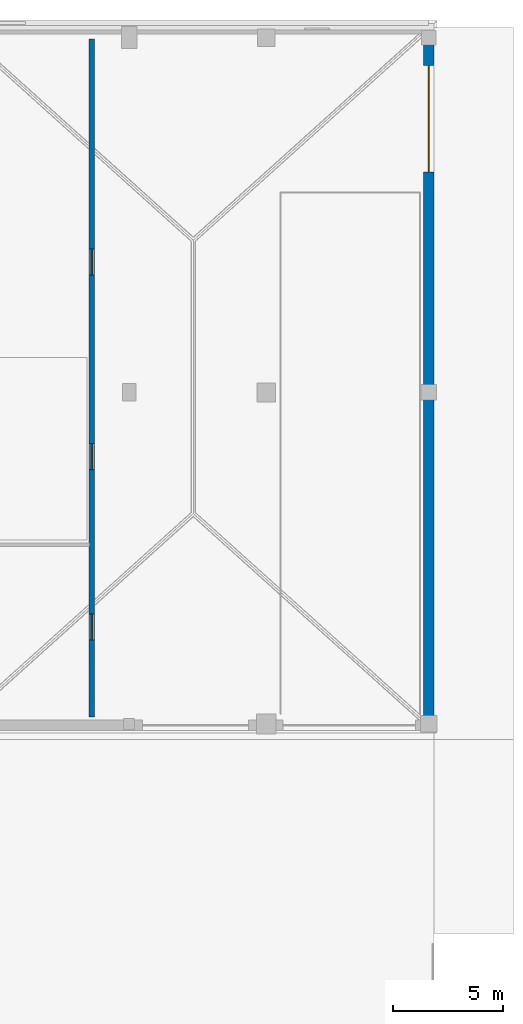
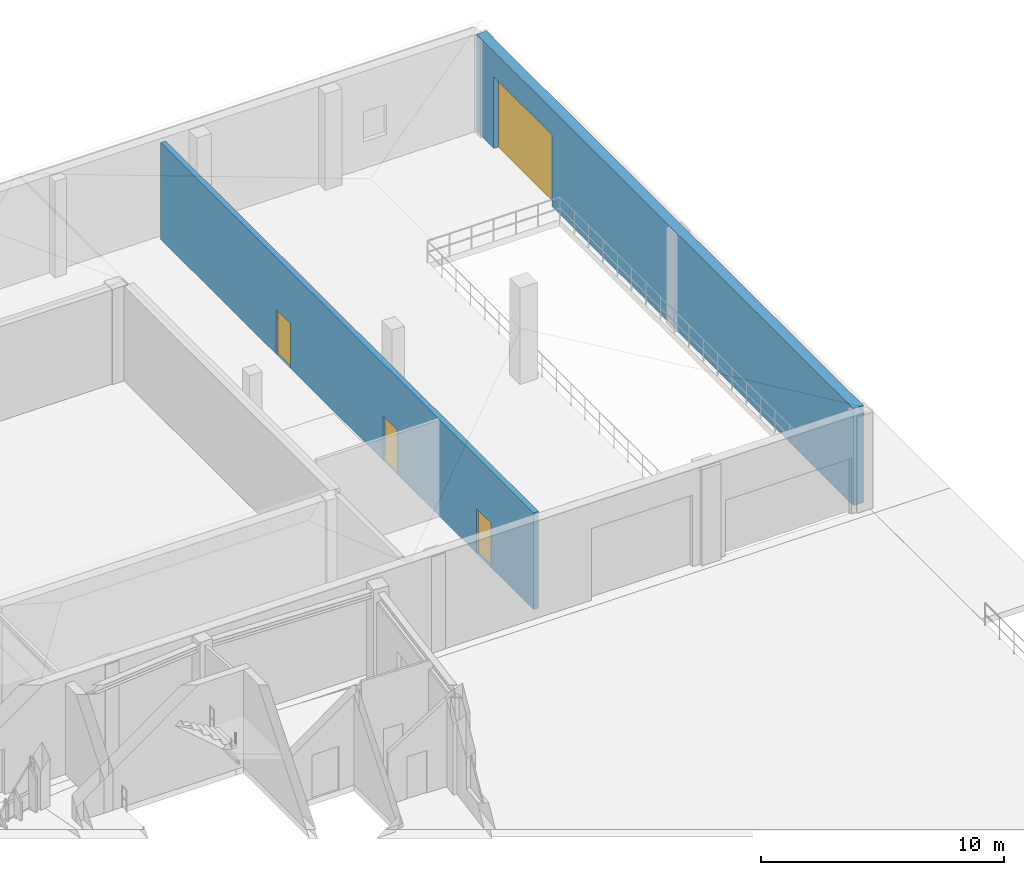
# One storey, part 48 of 68: 4 doors, 2 walls, 4 openings.
"""IFC4 building model written with IfcOpenShell, lengths in metres."""

from ifc_helpers import new_model, si_unit, direction, frame, frame_2d, origin, place, context, subcontext, project, spatial, rectangle, extrude, material, layer, layer_set, type_object, element, fill, save


model = new_model("IFC4")

# Units and contexts
model_context = context("Model", 3, precision=1e-05, world=origin(), true_north=direction((0.0, 1.0)))
body_context = subcontext(model_context, "Body", "Model", "MODEL_VIEW")
ifc_project = project(units=[si_unit("LENGTHUNIT", "METRE"), si_unit("AREAUNIT", "SQUARE_METRE"), si_unit("VOLUMEUNIT", "CUBIC_METRE"), si_unit("PLANEANGLEUNIT", "RADIAN"), si_unit("MASSUNIT", "GRAM", prefix="KILO"), si_unit("THERMODYNAMICTEMPERATUREUNIT", "KELVIN"), si_unit("POWERUNIT", "WATT")], contexts=[model_context])

# Site, building, storey
site_placement = place(None, origin())
site = spatial("IfcSite", under=ifc_project, at=site_placement, CompositionType="ELEMENT")
building_placement = place(site_placement, origin())
building = spatial("IfcBuilding", under=site, at=building_placement, Name="Solvatero Civic Police Headquarters", CompositionType="ELEMENT")
storey_placement = place(building_placement, origin())
storey = spatial("IfcBuildingStorey", under=building, at=storey_placement, Name="L00", CompositionType="ELEMENT", Elevation=0.0)

# Wall, openings, doors
ifc_material_1 = material(Name="Reinforced Masonry", Category="masonry")
ifc_layer_1 = layer(ifc_material_1, 0.239990234375)
ifc_layer_set_1 = layer_set([ifc_layer_1], Name="Reinforced Masonry")
wall_type_1 = type_object("IfcWallType", Name="WL-CELL-240", PredefinedType="PARTITIONING", material=ifc_layer_set_1)
wall_1_placement = place(storey_placement, frame((108.5, 85.800048828125, 0.0), z_axis=(0.0, 0.0, 1.0), x_axis=(0.0, 1.0, 0.0)))
wall_1 = element("IfcWall", 1, at=wall_1_placement, inside=storey, type_object=wall_type_1, Name="Interior Partition WLP-L00-SLY-W", PredefinedType="PARTITIONING", context=body_context, shape_type="SweptSolid", body=[
    extrude(rectangle(XDim=30.699951171875, YDim=0.239990234375, at=frame_2d((15.35009765625, 0.0))), origin(), (0.0, 0.0, 1.0), 4.860107421875),
])
opening_1_placement = place(wall_1_placement, frame((3.5, 0.0, 0.0)))
opening_1 = element("IfcOpeningElement", 2, at=opening_1_placement, cuts=wall_1, Name="Opening ID-11", PredefinedType="OPENING", context=body_context, shape_type="SweptSolid", body=[
    extrude(rectangle(XDim=1.179931640625, YDim=2.239990234375, at=frame_2d((0.58984375, 1.1201171875))), frame((0.0, 0.1298828125, 0.0), z_axis=(0.0, -1.0, 0.0), x_axis=(1.0, 0.0, 0.0)), (0.0, 0.0, 1.0), 0.260009765625),
])
opening_2_placement = place(wall_1_placement, frame((11.199951171875, 0.0, 0.0)))
opening_2 = element("IfcOpeningElement", 3, at=opening_2_placement, cuts=wall_1, Name="Opening ID-11", PredefinedType="OPENING", context=body_context, shape_type="SweptSolid", body=[
    extrude(rectangle(XDim=1.179931640625, YDim=2.239990234375, at=frame_2d((0.58984375, 1.1201171875))), frame((0.0, 0.1298828125, 0.0), z_axis=(0.0, -1.0, 0.0), x_axis=(1.0, 0.0, 0.0)), (0.0, 0.0, 1.0), 0.260009765625),
])
opening_3_placement = place(wall_1_placement, frame((20.0, 0.0, 0.0)))
opening_3 = element("IfcOpeningElement", 4, at=opening_3_placement, cuts=wall_1, Name="Opening ID-11", PredefinedType="OPENING", context=body_context, shape_type="SweptSolid", body=[
    extrude(rectangle(XDim=1.179931640625, YDim=2.239990234375, at=frame_2d((0.58984375, 1.1201171875))), frame((0.0, 0.1298828125, 0.0), z_axis=(0.0, -1.0, 0.0), x_axis=(1.0, 0.0, 0.0)), (0.0, 0.0, 1.0), 0.260009765625),
])
ifc_material_2 = material(Name="Powder-Coated Steel", Category="steel")
door_type_1 = type_object("IfcDoorType", Name="DR-COR-118x224", OperationType="NOTDEFINED", PredefinedType="DOOR", material=ifc_material_2)
door_1_placement = place(opening_1_placement, origin())
door_1 = element("IfcDoor", 5, at=door_1_placement, inside=storey, type_object=door_type_1, Name="Interior Door DR-L00-SLY-ESC1", OperationType="SINGLE_SWING_LEFT", OverallHeight=2.239990234375, OverallWidth=1.179931640625, PredefinedType="DOOR", context=body_context, shape_type="SweptSolid", body=[
    extrude(rectangle(XDim=1.179931640625, YDim=2.239990234375, at=frame_2d((0.58984375, 1.1201171875))), frame((0.0, 0.02490234375, 0.0), z_axis=(0.0, -1.0, 0.0), x_axis=(1.0, 0.0, 0.0)), (0.0, 0.0, 1.0), 0.050048828125),
])
fill(opening_1, door_1)
door_2_placement = place(opening_2_placement, origin())
door_2 = element("IfcDoor", 6, at=door_2_placement, inside=storey, type_object=door_type_1, Name="Interior Door DR-L00-SLY-ESC2", OperationType="SINGLE_SWING_RIGHT", OverallHeight=2.239990234375, OverallWidth=1.179931640625, PredefinedType="DOOR", context=body_context, shape_type="SweptSolid", body=[
    extrude(rectangle(XDim=1.179931640625, YDim=2.239990234375, at=frame_2d((0.58984375, 1.1201171875))), frame((0.0, 0.02490234375, 0.0), z_axis=(0.0, -1.0, 0.0), x_axis=(1.0, 0.0, 0.0)), (0.0, 0.0, 1.0), 0.050048828125),
])
fill(opening_2, door_2)
door_3_placement = place(opening_3_placement, origin())
door_3 = element("IfcDoor", 7, at=door_3_placement, inside=storey, type_object=door_type_1, Name="Interior Door DR-L00-SLY-ESC3", OperationType="SINGLE_SWING_LEFT", OverallHeight=2.239990234375, OverallWidth=1.179931640625, PredefinedType="DOOR", context=body_context, shape_type="SweptSolid", body=[
    extrude(rectangle(XDim=1.179931640625, YDim=2.239990234375, at=frame_2d((0.58984375, 1.1201171875))), frame((0.0, 0.02490234375, 0.0), z_axis=(0.0, -1.0, 0.0), x_axis=(1.0, 0.0, 0.0)), (0.0, 0.0, 1.0), 0.050048828125),
])
fill(opening_3, door_3)

# Wall, opening, door
ifc_layer_2 = layer(ifc_material_1, 0.47998046875)
ifc_layer_set_2 = layer_set([ifc_layer_2], Name="Reinforced Masonry")
wall_type_2 = type_object("IfcWallType", Name="WL-EXT-CUST-480", PredefinedType="SOLIDWALL", material=ifc_layer_set_2)
wall_2_placement = place(storey_placement, frame((123.75, 85.679931640625, 0.0), z_axis=(0.0, 0.0, 1.0), x_axis=(0.0, 1.0, 0.0)))
wall_2 = element("IfcWall", 8, at=wall_2_placement, inside=storey, type_object=wall_type_2, Name="Exterior Wall WLE-L00-V7-E", PredefinedType="SOLIDWALL", context=body_context, shape_type="SweptSolid", body=[
    extrude(rectangle(XDim=31.030029296875, YDim=0.47998046875, at=frame_2d((15.51513671875, 0.0))), origin(), (0.0, 0.0, 1.0), 4.8798828125),
])
opening_4_placement = place(wall_2_placement, frame((29.60009765625, 0.0, 0.0), z_axis=(0.0, 0.0, 1.0), x_axis=(-1.0, 0.0, 0.0)))
opening_4 = element("IfcOpeningElement", 9, at=opening_4_placement, cuts=wall_2, Name="Opening VG-02", PredefinedType="OPENING", context=body_context, shape_type="SweptSolid", body=[
    extrude(rectangle(XDim=4.800048828125, YDim=3.60009765625, at=frame_2d((2.39990234375, 1.800048828125))), frame((0.0, 0.25, 0.0), z_axis=(0.0, -1.0, 0.0), x_axis=(1.0, 0.0, 0.0)), (0.0, 0.0, 1.0), 0.5),
])
ifc_material_3 = material(Name="Armoured Galvanized Steel", Category="steel")
door_type_2 = type_object("IfcDoorType", Name="GT-VEH-480x360", OperationType="ROLLINGUP", PredefinedType="GATE", material=ifc_material_3)
door_4_placement = place(opening_4_placement, origin())
door_4 = element("IfcDoor", 10, at=door_4_placement, inside=storey, type_object=door_type_2, Name="Exterior Door DR-L00-SALLY-OUT", OperationType="ROLLINGUP", OverallHeight=3.60009765625, OverallWidth=4.800048828125, PredefinedType="GATE", context=body_context, shape_type="SweptSolid", body=[
    extrude(rectangle(XDim=4.800048828125, YDim=3.60009765625, at=frame_2d((2.39990234375, 1.800048828125))), frame((0.0, 0.02490234375, 0.0), z_axis=(0.0, -1.0, 0.0), x_axis=(1.0, 0.0, 0.0)), (0.0, 0.0, 1.0), 0.050048828125),
])
fill(opening_4, door_4)

save(model, "model.ifc")
